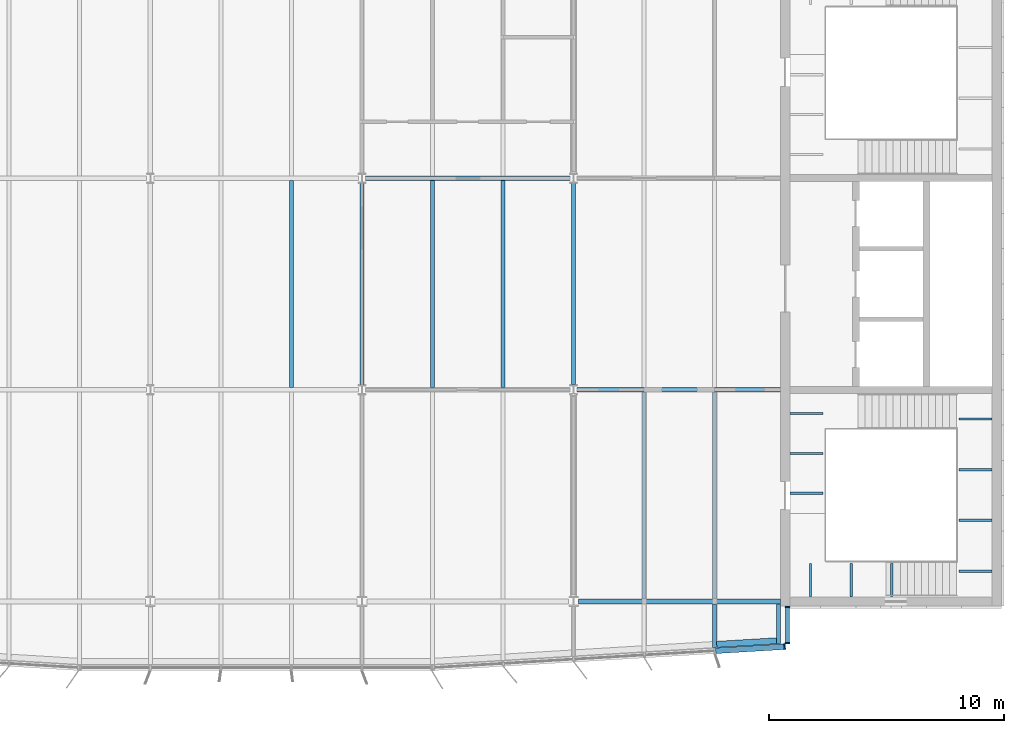
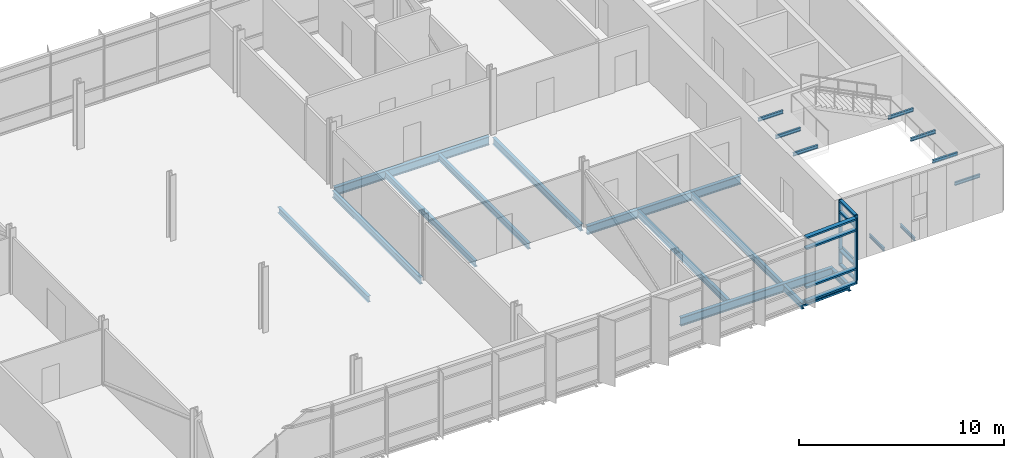
# One storey, part 6 of 18: 23 beams, 11 members, 2 elements without a shape of their own.
"""IFC4 building model written with IfcOpenShell, lengths in metres."""

from ifc_helpers import new_model, si_unit, direction, frame, origin, origin_2d, place, context, subcontext, project, spatial, rectangle, i_section, extrude, material, material_profile, profile_set, type_object, element, aggregate, save


model = new_model("IFC4")

# Units and contexts
model_context = context("Model", 3, precision=1e-05, world=origin(), true_north=direction((0.0, 1.0)))
body_context = subcontext(model_context, "Body", "Model", "MODEL_VIEW")
ifc_project = project(units=[si_unit("LENGTHUNIT", "METRE"), si_unit("AREAUNIT", "SQUARE_METRE"), si_unit("VOLUMEUNIT", "CUBIC_METRE"), si_unit("PLANEANGLEUNIT", "RADIAN"), si_unit("MASSUNIT", "GRAM", prefix="KILO")], contexts=[model_context])

# Site, building, storey
site_placement = place(None, origin())
site = spatial("IfcSite", under=ifc_project, at=site_placement, CompositionType="ELEMENT")
building_placement = place(site_placement, origin())
building = spatial("IfcBuilding", under=site, at=building_placement, Name="Azimuth Sports and Learning Centre", CompositionType="ELEMENT")
storey_placement = place(building_placement, frame((0.0, 0.0, 59.699951171875)))
storey = spatial("IfcBuildingStorey", under=building, at=storey_placement, Name="L13", CompositionType="ELEMENT", Elevation=59.699951171875)

# Beams
ifc_material_1 = material(Name="Steel S355", Category="steel")
ifc_material_profile_1 = material_profile(ifc_material_1, i_section(OverallWidth=0.10009765625, OverallDepth=0.199951171875, WebThickness=0.005615234375, FlangeThickness=0.008544921875, FilletRadius=0.011962890625, at=origin_2d()), Name="IPE 200")
ifc_profile_set_1 = profile_set([ifc_material_profile_1], Name="Steel S355")
beam_type_1 = type_object("IfcBeamType", Name="Beam IPE 200", PredefinedType="BEAM", material=ifc_profile_set_1)
for number, where, z_axis, x_axis, name in (
    (1, (109.0732421875, 90.199951171875, -0.300048828125), (0.0, 1.0, 0.0), (-1.0, 0.0, 0.0), "Landing bracket E1 L13 485"),
    (2, (110.800048828125, 90.199951171875, -0.300048828125), (0.0, 1.0, 0.0), (-1.0, 0.0, 0.0), "Landing bracket E1 L13 486"),
    (3, (112.526611328125, 90.199951171875, -0.300048828125), (0.0, 1.0, 0.0), (-1.0, 0.0, 0.0), "Landing bracket E1 L13 487"),
    (4, (116.800048828125, 91.288818359375, 1.35009765625), (-1.0, 0.0, 0.0), (0.0, -1.0, 0.0), "Landing bracket E1 L13 488"),
    (5, (116.800048828125, 93.4462890625, 1.35009765625), (-1.0, 0.0, 0.0), (0.0, -1.0, 0.0), "Landing bracket E1 L13 489"),
    (6, (116.800048828125, 95.603759765625, 1.35009765625), (-1.0, 0.0, 0.0), (0.0, -1.0, 0.0), "Landing bracket E1 L13 490"),
    (7, (116.800048828125, 97.76123046875, 1.35009765625), (-1.0, 0.0, 0.0), (0.0, -1.0, 0.0), "Landing bracket E1 L13 491"),
    (8, (108.199951171875, 94.598388671875, 3.60009765625), (1.0, 0.0, 0.0), (0.0, 1.0, 0.0), "Landing bracket E1 L13 492"),
    (9, (108.199951171875, 96.294921875, 3.60009765625), (1.0, 0.0, 0.0), (0.0, 1.0, 0.0), "Landing bracket E1 L13 493"),
    (10, (108.199951171875, 97.99169921875, 3.60009765625), (1.0, 0.0, 0.0), (0.0, 1.0, 0.0), "Landing bracket E1 L13 494"),
):
    element("IfcBeam", number, at=place(storey_placement, frame(where, z_axis=z_axis, x_axis=x_axis)), inside=storey, type_object=beam_type_1, Name=name, PredefinedType="BEAM", context=body_context, shape_type="SweptSolid", body=[
        extrude(i_section(OverallWidth=0.10009765625, OverallDepth=0.199951171875, WebThickness=0.005615234375, FlangeThickness=0.008544921875, FilletRadius=0.011962890625, at=origin_2d()), origin(), (0.0, 0.0, 1.0), 1.41015625),
    ])
ifc_material_2 = material(Name="Steel S355", Category="steel")
ifc_material_profile_2 = material_profile(ifc_material_2, i_section(OverallWidth=0.179931640625, OverallDepth=0.39990234375, WebThickness=0.008544921875, FlangeThickness=0.013427734375, FilletRadius=0.02099609375, at=origin_2d()), Name="IPE 400")
ifc_profile_set_2 = profile_set([ifc_material_profile_2], Name="Steel S355")
beam_type_2 = type_object("IfcBeamType", Name="Beam IPE 400", PredefinedType="BEAM", material=ifc_profile_set_2)
for number, where, z_axis, x_axis, name in (
    (11, (90.0, 99.216064453125, -0.329833984375), (0.0, 1.0, 0.0), (-1.0, 0.0, 0.0), "Tower tie"),
    (12, (99.0, 99.216064453125, -0.329833984375), (0.0, 1.0, 0.0), (-1.0, 0.0, 0.0), "Tower tie"),
):
    element("IfcBeam", number, at=place(storey_placement, frame(where, z_axis=z_axis, x_axis=x_axis)), inside=storey, type_object=beam_type_2, Name=name, PredefinedType="BEAM", context=body_context, shape_type="SweptSolid", body=[
        extrude(i_section(OverallWidth=0.179931640625, OverallDepth=0.39990234375, WebThickness=0.008544921875, FlangeThickness=0.013427734375, FilletRadius=0.02099609375, at=origin_2d()), origin(), (0.0, 0.0, 1.0), 8.56787109375),
    ])
ifc_material_3 = material(Name="Steel S355", Category="steel")
ifc_material_profile_3 = material_profile(ifc_material_3, i_section(OverallWidth=0.199951171875, OverallDepth=0.5, WebThickness=0.01025390625, FlangeThickness=0.01611328125, FilletRadius=0.02099609375, at=origin_2d()), Name="IPE 500")
ifc_profile_set_3 = profile_set([ifc_material_profile_3], Name="Steel S355")
beam_type_3 = type_object("IfcBeamType", Name="Beam IPE 500", PredefinedType="BEAM", material=ifc_profile_set_3)
beam_1_placement = place(storey_placement, frame((99.208984375, 90.0, -0.3798828125), z_axis=(1.0, 0.0, 0.0), x_axis=(0.0, 1.0, 0.0)))
element("IfcBeam", 13, at=beam_1_placement, inside=storey, type_object=beam_type_3, Name="Tower girder L13", PredefinedType="BEAM", context=body_context, shape_type="SweptSolid", body=[
    extrude(i_section(OverallWidth=0.199951171875, OverallDepth=0.5, WebThickness=0.01025390625, FlangeThickness=0.01611328125, FilletRadius=0.02099609375, at=origin_2d()), origin(), (0.0, 0.0, 1.0), 8.591064453125),
])
beam_2_placement = place(storey_placement, frame((99.153564453125, 99.0, -0.3798828125), z_axis=(1.0, 0.0, 0.0), x_axis=(0.0, 1.0, 0.0)))
element("IfcBeam", 14, at=beam_2_placement, inside=storey, type_object=beam_type_3, Name="Tower girder L13", PredefinedType="BEAM", context=body_context, shape_type="SweptSolid", body=[
    extrude(i_section(OverallWidth=0.199951171875, OverallDepth=0.5, WebThickness=0.01025390625, FlangeThickness=0.01611328125, FilletRadius=0.02099609375, at=origin_2d()), origin(), (0.0, 0.0, 1.0), 8.646484375),
])
beam_3_placement = place(storey_placement, frame((90.153564453125, 108.0, -0.3798828125), z_axis=(1.0, 0.0, 0.0), x_axis=(0.0, 1.0, 0.0)))
element("IfcBeam", 15, at=beam_3_placement, inside=storey, type_object=beam_type_3, Name="Tower girder L13", PredefinedType="BEAM", context=body_context, shape_type="SweptSolid", body=[
    extrude(i_section(OverallWidth=0.199951171875, OverallDepth=0.5, WebThickness=0.01025390625, FlangeThickness=0.01611328125, FilletRadius=0.02099609375, at=origin_2d()), origin(), (0.0, 0.0, 1.0), 8.69287109375),
])
ifc_material_4 = material(Name="Steel S355", Category="steel")
ifc_material_profile_4 = material_profile(ifc_material_4, i_section(OverallWidth=0.169921875, OverallDepth=0.360107421875, WebThickness=0.008056640625, FlangeThickness=0.0126953125, FilletRadius=0.01806640625, at=origin_2d()), Name="IPE 360")
ifc_profile_set_4 = profile_set([ifc_material_profile_4], Name="Steel S355")
beam_type_4 = type_object("IfcBeamType", Name="Cantilever stub IPE 360", PredefinedType="JOIST", material=ifc_profile_set_4)
beam_4_placement = place(storey_placement, frame((105.0, 89.89990234375, -0.31005859375), z_axis=(0.0, -1.0, 0.0), x_axis=(1.0, 0.0, 0.0)))
element("IfcBeam", 16, at=beam_4_placement, inside=storey, type_object=beam_type_4, Name="Tower cantilever stub", PredefinedType="JOIST", context=body_context, shape_type="SweptSolid", body=[
    extrude(i_section(OverallWidth=0.169921875, OverallDepth=0.360107421875, WebThickness=0.008056640625, FlangeThickness=0.0126953125, FilletRadius=0.01806640625, at=origin_2d()), origin(), (0.0, 0.0, 1.0), 1.85986328125),
])
beam_5_placement = place(storey_placement, frame((107.715087890625, 89.89990234375, -0.31005859375), z_axis=(0.0, -1.0, 0.0), x_axis=(1.0, 0.0, 0.0)))
element("IfcBeam", 17, at=beam_5_placement, inside=storey, type_object=beam_type_4, Name="Tower cantilever stub", PredefinedType="JOIST", context=body_context, shape_type="SweptSolid", body=[
    extrude(i_section(OverallWidth=0.169921875, OverallDepth=0.360107421875, WebThickness=0.008056640625, FlangeThickness=0.0126953125, FilletRadius=0.01806640625, at=origin_2d()), origin(), (0.0, 0.0, 1.0), 1.697021484375),
])
ifc_material_5 = material(Name="Steel S355", Category="steel")
ifc_material_profile_5 = material_profile(ifc_material_5, i_section(OverallWidth=0.260009765625, OverallDepth=0.25, WebThickness=0.007568359375, FlangeThickness=0.012451171875, FilletRadius=0.02392578125, at=origin_2d()), Name="HEA 260")
ifc_profile_set_5 = profile_set([ifc_material_profile_5], Name="Steel S355")
beam_type_5 = type_object("IfcBeamType", Name="Edge beam HEA 260", PredefinedType="SPANDREL", material=ifc_profile_set_5)
beam_6_placement = place(storey_placement, frame((105.0849609375, 88.175048828125, -0.2548828125), z_axis=(0.998201638043, 0.05994572385, 0.0), x_axis=(-0.05994572385, 0.998201638043, 0.0)))
element("IfcBeam", 18, at=beam_6_placement, inside=storey, type_object=beam_type_5, Name="Tower edge beam", PredefinedType="SPANDREL", context=body_context, shape_type="SweptSolid", body=[
    extrude(i_section(OverallWidth=0.260009765625, OverallDepth=0.25, WebThickness=0.007568359375, FlangeThickness=0.012451171875, FilletRadius=0.02392578125, at=origin_2d()), origin(), (0.0, 0.0, 1.0), 2.549560546875),
])
ifc_material_6 = material(Name="Steel S355", Category="steel")
ifc_material_profile_6 = material_profile(ifc_material_6, i_section(OverallWidth=0.169921875, OverallDepth=0.360107421875, WebThickness=0.008056640625, FlangeThickness=0.0126953125, FilletRadius=0.01806640625, at=origin_2d()), Name="IPE 360")
ifc_profile_set_6 = profile_set([ifc_material_profile_6], Name="Steel S355")
beam_type_6 = type_object("IfcBeamType", Name="Joist IPE 360", PredefinedType="JOIST", material=ifc_profile_set_6)
for number, where, z_axis, x_axis, name in (
    (19, (87.0, 99.10009765625, -0.31005859375), (0.0, 1.0, 0.0), (-1.0, 0.0, 0.0), "Tower joist"),
    (20, (93.0, 99.10009765625, -0.31005859375), (0.0, 1.0, 0.0), (-1.0, 0.0, 0.0), "Tower joist"),
    (21, (96.0, 99.10009765625, -0.31005859375), (0.0, 1.0, 0.0), (-1.0, 0.0, 0.0), "Tower joist"),
    (22, (102.0, 90.10009765625, -0.31005859375), (0.0, 1.0, 0.0), (-1.0, 0.0, 0.0), "Tower joist"),
    (23, (105.0, 90.10009765625, -0.31005859375), (0.0, 1.0, 0.0), (-1.0, 0.0, 0.0), "Tower joist"),
):
    element("IfcBeam", number, at=place(storey_placement, frame(where, z_axis=z_axis, x_axis=x_axis)), inside=storey, type_object=beam_type_6, Name=name, PredefinedType="JOIST", context=body_context, shape_type="SweptSolid", body=[
        extrude(i_section(OverallWidth=0.169921875, OverallDepth=0.360107421875, WebThickness=0.008056640625, FlangeThickness=0.0126953125, FilletRadius=0.01806640625, at=origin_2d()), origin(), (0.0, 0.0, 1.0), 8.7998046875),
    ])

# Curtain wall, members
ifc_material_7 = material(Name="Aluminium and glass", Category="aluminium")
curtain_wall_type_1 = type_object("IfcCurtainWallType", Name="Curtain wall tower return 180", PredefinedType="NOTDEFINED", material=ifc_material_7)
curtain_wall_1_placement = place(storey_placement, origin())
curtain_wall_1 = element("IfcCurtainWall", 24, at=curtain_wall_1_placement, inside=storey, type_object=curtain_wall_type_1, Name="Curtain wall CW13-005", PredefinedType="NOTDEFINED")
ifc_material_8 = material(Name="Aluminium", Category="aluminium")
ifc_material_profile_7 = material_profile(ifc_material_8, rectangle(XDim=0.179931640625, YDim=0.06005859375, at=origin_2d()), Name="Mullion 60x180")
ifc_profile_set_7 = profile_set([ifc_material_profile_7], Name="Aluminium")
member_type_1 = type_object("IfcMemberType", Name="Mullion 60x180", PredefinedType="MULLION", material=ifc_profile_set_7)
member_1_placement = place(storey_placement, frame((108.090087890625, 88.22998046875, 0.0), z_axis=(0.0, 0.0, 1.0), x_axis=(-1.0, 0.0, 0.0)))
member_1 = element("IfcMember", 25, at=member_1_placement, type_object=member_type_1, Name="CW13-005 mullion 1", PredefinedType="MULLION", context=body_context, shape_type="SweptSolid", body=[
    extrude(rectangle(XDim=0.179931640625, YDim=0.06005859375, at=origin_2d()), origin(), (0.0, 0.0, 1.0), 3.900146484375),
])
member_2_placement = place(storey_placement, frame((108.090087890625, 89.77001953125, 0.0), z_axis=(0.0, 0.0, 1.0), x_axis=(-1.0, 0.0, 0.0)))
member_2 = element("IfcMember", 26, at=member_2_placement, type_object=member_type_1, Name="CW13-005 mullion 2", PredefinedType="MULLION", context=body_context, shape_type="SweptSolid", body=[
    extrude(rectangle(XDim=0.179931640625, YDim=0.06005859375, at=origin_2d()), origin(), (0.0, 0.0, 1.0), 3.900146484375),
])

# Curtain wall, member
ifc_material_9 = material(Name="Aluminium and glass", Category="aluminium")
curtain_wall_type_2 = type_object("IfcCurtainWallType", Name="Curtain wall tower south 240", PredefinedType="NOTDEFINED", material=ifc_material_9)
curtain_wall_2_placement = place(storey_placement, origin())
curtain_wall_2 = element("IfcCurtainWall", 27, at=curtain_wall_2_placement, inside=storey, type_object=curtain_wall_type_2, Name="Curtain wall CW13-004", PredefinedType="NOTDEFINED")
ifc_material_10 = material(Name="Aluminium", Category="aluminium")
ifc_material_profile_8 = material_profile(ifc_material_10, rectangle(XDim=0.239990234375, YDim=0.070068359375, at=origin_2d()), Name="Mullion 70x240")
ifc_profile_set_8 = profile_set([ifc_material_profile_8], Name="Aluminium")
member_type_2 = type_object("IfcMemberType", Name="Mullion 70x240", PredefinedType="MULLION", material=ifc_profile_set_8)
member_3_placement = place(storey_placement, frame((107.97216796875, 88.078125, 0.0), z_axis=(0.0, 0.0, 1.0), x_axis=(-0.059891991812, 0.998204863401, 0.0)))
member_3 = element("IfcMember", 28, at=member_3_placement, type_object=member_type_2, Name="CW13-004 mullion 6", PredefinedType="MULLION", context=body_context, shape_type="SweptSolid", body=[
    extrude(rectangle(XDim=0.239990234375, YDim=0.070068359375, at=origin_2d()), origin(), (0.0, 0.0, 1.0), 3.900146484375),
])

# Member
ifc_material_11 = material(Name="Aluminium", Category="aluminium")
ifc_material_profile_9 = material_profile(ifc_material_11, rectangle(XDim=0.179931640625, YDim=0.10009765625, at=origin_2d()), Name="Transom 100x180")
ifc_profile_set_9 = profile_set([ifc_material_profile_9], Name="Aluminium")
member_type_3 = type_object("IfcMemberType", Name="Transom 100x180", PredefinedType="USERDEFINED", material=ifc_profile_set_9)
member_4_placement = place(storey_placement, frame((108.090087890625, 88.260009765625, 0.050048828125), z_axis=(0.0, 1.0, 0.0), x_axis=(-1.0, 0.0, 0.0)))
member_4 = element("IfcMember", 29, at=member_4_placement, type_object=member_type_3, Name="CW13-005 transom 1.1", ObjectType="TRANSOM", PredefinedType="USERDEFINED", context=body_context, shape_type="SweptSolid", body=[
    extrude(rectangle(XDim=0.179931640625, YDim=0.10009765625, at=origin_2d()), origin(), (0.0, 0.0, 1.0), 1.47998046875),
])

member_5_placement = place(storey_placement, frame((108.090087890625, 88.260009765625, 0.900146484375), z_axis=(0.0, 1.0, 0.0), x_axis=(-1.0, 0.0, 0.0)))
member_5 = element("IfcMember", 30, at=member_5_placement, type_object=member_type_3, Name="CW13-005 transom 1.2", ObjectType="TRANSOM", PredefinedType="USERDEFINED", context=body_context, shape_type="SweptSolid", body=[
    extrude(rectangle(XDim=0.179931640625, YDim=0.10009765625, at=origin_2d()), origin(), (0.0, 0.0, 1.0), 1.47998046875),
])

member_6_placement = place(storey_placement, frame((108.090087890625, 88.260009765625, 3.199951171875), z_axis=(0.0, 1.0, 0.0), x_axis=(-1.0, 0.0, 0.0)))
member_6 = element("IfcMember", 31, at=member_6_placement, type_object=member_type_3, Name="CW13-005 transom 1.3", ObjectType="TRANSOM", PredefinedType="USERDEFINED", context=body_context, shape_type="SweptSolid", body=[
    extrude(rectangle(XDim=0.179931640625, YDim=0.10009765625, at=origin_2d()), origin(), (0.0, 0.0, 1.0), 1.47998046875),
])

member_7_placement = place(storey_placement, frame((108.090087890625, 88.260009765625, 3.85009765625), z_axis=(0.0, 1.0, 0.0), x_axis=(-1.0, 0.0, 0.0)))
member_7 = element("IfcMember", 32, at=member_7_placement, type_object=member_type_3, Name="CW13-005 transom 1.4", ObjectType="TRANSOM", PredefinedType="USERDEFINED", context=body_context, shape_type="SweptSolid", body=[
    extrude(rectangle(XDim=0.179931640625, YDim=0.10009765625, at=origin_2d()), origin(), (0.0, 0.0, 1.0), 1.47998046875),
])

aggregate(curtain_wall_1, [member_1, member_2, member_4, member_5, member_6, member_7])

ifc_material_12 = material(Name="Aluminium", Category="aluminium")
ifc_material_profile_10 = material_profile(ifc_material_12, rectangle(XDim=0.239990234375, YDim=0.10009765625, at=origin_2d()), Name="Transom 100x240")
ifc_profile_set_10 = profile_set([ifc_material_profile_10], Name="Aluminium")
member_type_4 = type_object("IfcMemberType", Name="Transom 100x240", PredefinedType="USERDEFINED", material=ifc_profile_set_10)
member_8_placement = place(storey_placement, frame((105.042236328125, 87.90234375, 0.050048828125), z_axis=(0.998207260343, 0.059852029187, 0.0), x_axis=(-0.059852029187, 0.998207260343, 0.0)))
member_8 = element("IfcMember", 33, at=member_8_placement, type_object=member_type_4, Name="CW13-004 transom 5.1", ObjectType="TRANSOM", PredefinedType="USERDEFINED", context=body_context, shape_type="SweptSolid", body=[
    extrude(rectangle(XDim=0.239990234375, YDim=0.10009765625, at=origin_2d()), origin(), (0.0, 0.0, 1.0), 2.900146484375),
])

member_9_placement = place(storey_placement, frame((105.042236328125, 87.90234375, 0.900146484375), z_axis=(0.998207260343, 0.059852029187, 0.0), x_axis=(-0.059852029187, 0.998207260343, 0.0)))
member_9 = element("IfcMember", 34, at=member_9_placement, type_object=member_type_4, Name="CW13-004 transom 5.2", ObjectType="TRANSOM", PredefinedType="USERDEFINED", context=body_context, shape_type="SweptSolid", body=[
    extrude(rectangle(XDim=0.239990234375, YDim=0.10009765625, at=origin_2d()), origin(), (0.0, 0.0, 1.0), 2.900146484375),
])

member_10_placement = place(storey_placement, frame((105.042236328125, 87.90234375, 3.199951171875), z_axis=(0.998207260343, 0.059852029187, 0.0), x_axis=(-0.059852029187, 0.998207260343, 0.0)))
member_10 = element("IfcMember", 35, at=member_10_placement, type_object=member_type_4, Name="CW13-004 transom 5.3", ObjectType="TRANSOM", PredefinedType="USERDEFINED", context=body_context, shape_type="SweptSolid", body=[
    extrude(rectangle(XDim=0.239990234375, YDim=0.10009765625, at=origin_2d()), origin(), (0.0, 0.0, 1.0), 2.900146484375),
])

member_11_placement = place(storey_placement, frame((105.042236328125, 87.90234375, 3.85009765625), z_axis=(0.998207260343, 0.059852029187, 0.0), x_axis=(-0.059852029187, 0.998207260343, 0.0)))
member_11 = element("IfcMember", 36, at=member_11_placement, type_object=member_type_4, Name="CW13-004 transom 5.4", ObjectType="TRANSOM", PredefinedType="USERDEFINED", context=body_context, shape_type="SweptSolid", body=[
    extrude(rectangle(XDim=0.239990234375, YDim=0.10009765625, at=origin_2d()), origin(), (0.0, 0.0, 1.0), 2.900146484375),
])

aggregate(curtain_wall_2, [member_3, member_8, member_9, member_10, member_11])

save(model, "model.ifc")
